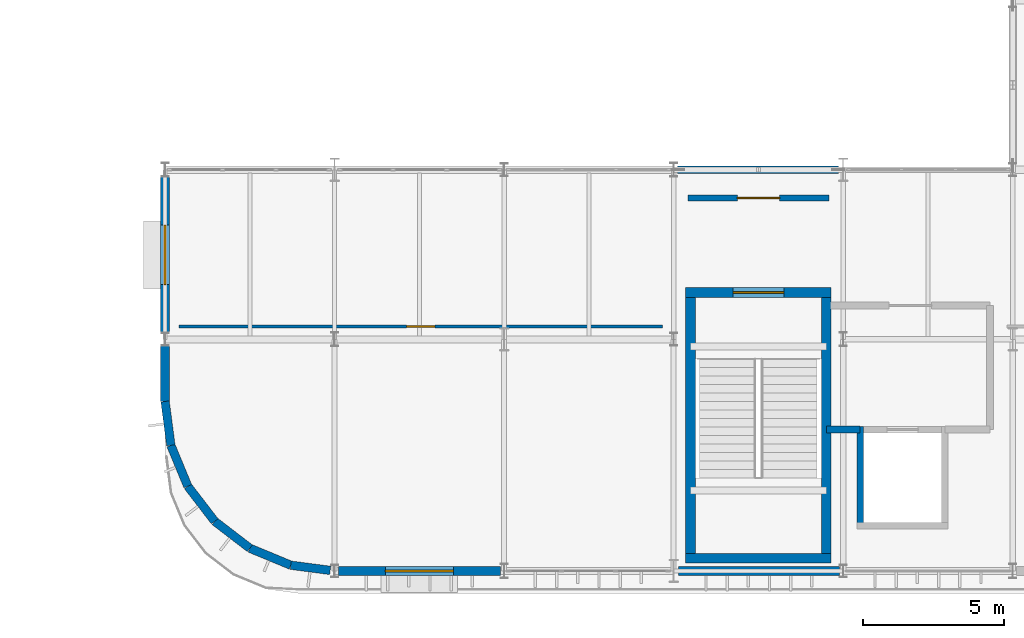
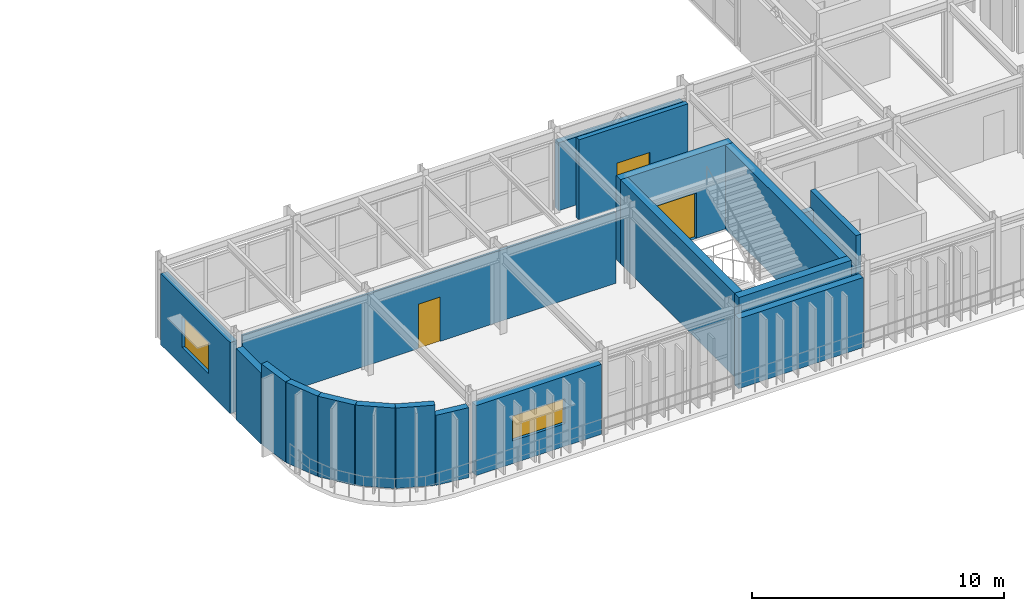
# One storey, part 61 of 83: 19 walls, 3 doors, 2 windows, 5 openings.
"""IFC4 building model written with IfcOpenShell, lengths in metres."""

from ifc_helpers import new_model, si_unit, direction, frame, frame_2d, origin, place, context, subcontext, project, spatial, rectangle, extrude, material, layer, layer_set, type_object, element, fill, save


model = new_model("IFC4")

# Units and contexts
model_context = context("Model", 3, precision=1e-05, world=origin(), true_north=direction((0.0, 1.0)))
body_context = subcontext(model_context, "Body", "Model", "MODEL_VIEW")
ifc_project = project(units=[si_unit("LENGTHUNIT", "METRE"), si_unit("AREAUNIT", "SQUARE_METRE"), si_unit("VOLUMEUNIT", "CUBIC_METRE"), si_unit("PLANEANGLEUNIT", "RADIAN"), si_unit("MASSUNIT", "GRAM", prefix="KILO")], contexts=[model_context])

# Site, building, storey
site_placement = place(None, origin())
site = spatial("IfcSite", under=ifc_project, at=site_placement, CompositionType="ELEMENT")
building_placement = place(site_placement, origin())
building = spatial("IfcBuilding", under=site, at=building_placement, Name="Varnakota Square Police Headquarters", CompositionType="ELEMENT")
storey_placement = place(building_placement, frame((0.0, 0.0, 18.0)))
storey = spatial("IfcBuildingStorey", under=building, at=storey_placement, Name="L04", CompositionType="ELEMENT", Elevation=18.0)

# Walls
ifc_material_1 = material(Name="Concrete M40", Category="concrete")
ifc_layer_1 = layer(ifc_material_1, 0.22998046875, Name="Concrete M40")
ifc_layer_set_1 = layer_set([ifc_layer_1], Name="Concrete M40")
wall_type_1 = type_object("IfcWallType", Name="WL-CORE-230", PredefinedType="SHEAR", material=ifc_layer_set_1)
wall_1_placement = place(storey_placement, frame((132.60009765625, 5.9150390625, 0.0), z_axis=(0.0, 0.0, 1.0), x_axis=(0.0, -1.0, 0.0)))
element("IfcWall", 1, at=wall_1_placement, inside=storey, type_object=wall_type_1, Name="Lift shaft wall LF-FF1 L04 W", PredefinedType="SHEAR", context=body_context, shape_type="SweptSolid", body=[
    extrude(rectangle(XDim=3.630126953125, YDim=0.22998046875, at=frame_2d((1.81494140625, 0.0))), origin(), (0.0, 0.0, 1.0), 4.199951171875),
])
ifc_material_2 = material(Name="Concrete M50", Category="concrete")
ifc_layer_2 = layer(ifc_material_2, 0.35009765625, Name="Concrete M50")
ifc_layer_set_2 = layer_set([ifc_layer_2], Name="Concrete M50")
wall_type_2 = type_object("IfcWallType", Name="WL-CORE-350", PredefinedType="SHEAR", material=ifc_layer_set_2)
wall_2_placement = place(storey_placement, frame((126.425048828125, 1.25, 0.0), z_axis=(0.0, 0.0, 1.0), x_axis=(1.0, 0.0, 0.0)))
element("IfcWall", 2, at=wall_2_placement, inside=storey, type_object=wall_type_2, Name="Core C1 shear wall L04 S", PredefinedType="SHEAR", context=body_context, shape_type="SweptSolid", body=[
    extrude(rectangle(XDim=5.14990234375, YDim=0.35009765625, at=frame_2d((2.574951171875, 0.0))), origin(), (0.0, 0.0, 1.0), 4.06005859375),
])
wall_3_placement = place(storey_placement, frame((131.39990234375, 1.074951171875, 0.0), z_axis=(0.0, 0.0, 1.0), x_axis=(0.0, 1.0, 0.0)))
element("IfcWall", 3, at=wall_3_placement, inside=storey, type_object=wall_type_2, Name="Core C1 shear wall L04 E", PredefinedType="SHEAR", context=body_context, shape_type="SweptSolid", body=[
    extrude(rectangle(XDim=9.75, YDim=0.35009765625, at=frame_2d((4.875, 0.0))), origin(), (0.0, 0.0, 1.0), 4.06005859375),
])

# Wall, opening, door
wall_4_placement = place(storey_placement, frame((131.574951171875, 10.64990234375, 0.0), z_axis=(0.0, 0.0, 1.0), x_axis=(-1.0, 0.0, 0.0)))
wall_4 = element("IfcWall", 4, at=wall_4_placement, inside=storey, type_object=wall_type_2, Name="Core C1 shear wall L04 N", PredefinedType="SHEAR", context=body_context, shape_type="SweptSolid", body=[
    extrude(rectangle(XDim=5.14990234375, YDim=0.35009765625, at=frame_2d((2.574951171875, 0.0))), origin(), (0.0, 0.0, 1.0), 4.06005859375),
])
opening_1_placement = place(wall_4_placement, frame((1.675048828125, 0.0, 0.0)))
opening_1 = element("IfcOpeningElement", 5, at=opening_1_placement, cuts=wall_4, Name="Opening SD005", PredefinedType="OPENING", context=body_context, shape_type="SweptSolid", body=[
    extrude(rectangle(XDim=1.800048828125, YDim=2.199951171875, at=frame_2d((0.89990234375, 1.10009765625))), frame((0.0, 0.18505859375, 0.0), z_axis=(0.0, -1.0, 0.0), x_axis=(1.0, 0.0, 0.0)), (0.0, 0.0, 1.0), 0.3701171875),
])
ifc_material_3 = material(Name="Powder-Coated Galvanised Steel", Category="steel")
door_type_1 = type_object("IfcDoorType", Name="DR-ST-180", OperationType="NOTDEFINED", PredefinedType="DOOR", material=ifc_material_3)
door_1_placement = place(opening_1_placement, origin())
door_1 = element("IfcDoor", 6, at=door_1_placement, inside=storey, type_object=door_type_1, Name="Protected stair door SD005", OperationType="DOUBLE_DOOR_SINGLE_SWING", OverallHeight=2.199951171875, OverallWidth=1.800048828125, PredefinedType="DOOR", context=body_context, shape_type="SweptSolid", body=[
    extrude(rectangle(XDim=1.800048828125, YDim=2.199951171875, at=frame_2d((0.89990234375, 1.10009765625))), frame((0.0, 0.02490234375, 0.0), z_axis=(0.0, -1.0, 0.0), x_axis=(1.0, 0.0, 0.0)), (0.0, 0.0, 1.0), 0.050048828125),
])
fill(opening_1, door_1)

# Walls
wall_5_placement = place(storey_placement, frame((126.60009765625, 10.824951171875, 0.0), z_axis=(0.0, 0.0, 1.0), x_axis=(0.0, -1.0, 0.0)))
element("IfcWall", 7, at=wall_5_placement, inside=storey, type_object=wall_type_2, Name="Core C1 shear wall L04 W", PredefinedType="SHEAR", context=body_context, shape_type="SweptSolid", body=[
    extrude(rectangle(XDim=9.75, YDim=0.35009765625, at=frame_2d((4.875, 0.0))), origin(), (0.0, 0.0, 1.0), 4.06005859375),
])
ifc_layer_3 = layer(ifc_material_1, 0.280029296875, Name="Concrete M40")
ifc_layer_set_3 = layer_set([ifc_layer_3], Name="Concrete M40")
wall_type_3 = type_object("IfcWallType", Name="WL-EXT-280", PredefinedType="SOLIDWALL", material=ifc_layer_set_3)
wall_6_placement = place(storey_placement, frame((126.12890625, 15.0, 0.0), z_axis=(0.0, 0.0, 1.0), x_axis=(1.0, 0.0, 0.0)))
element("IfcWall", 8, at=wall_6_placement, inside=storey, type_object=wall_type_3, Name="Exterior wall EW-L04-0256", PredefinedType="SOLIDWALL", context=body_context, shape_type="SweptSolid", body=[
    extrude(rectangle(XDim=5.70703125, YDim=0.280029296875, at=frame_2d((2.853515625, 0.0))), origin(), (0.0, 0.0, 1.0), 3.2900390625),
])
ifc_material_4 = material(Name="Precast concrete M40", Category="concrete")
ifc_layer_4 = layer(ifc_material_4, 0.300048828125, Name="Precast concrete M40")
ifc_layer_set_4 = layer_set([ifc_layer_4], Name="Precast concrete M40")
wall_type_4 = type_object("IfcWallType", Name="WL-EXT-300", PredefinedType="SOLIDWALL", material=ifc_layer_set_4)
wall_7_placement = place(storey_placement, frame((108.0, 6.800048828125, 0.0), z_axis=(0.0, 0.0, 1.0), x_axis=(0.130458544462, -0.991453765022, 0.0)))
element("IfcWall", 9, at=wall_7_placement, inside=storey, type_object=wall_type_4, Name="Exterior wall EW-L04-0263", PredefinedType="SOLIDWALL", context=body_context, shape_type="SweptSolid", body=[
    extrude(rectangle(XDim=1.56640625, YDim=0.300048828125, at=frame_2d((0.783203125, 0.0))), origin(), (0.0, 0.0, 1.0), 3.89501953125),
])
wall_8_placement = place(storey_placement, frame((108.204345703125, 5.2470703125, 0.0), z_axis=(0.0, 0.0, 1.0), x_axis=(0.382677606907, -0.923881945474, 0.0)))
element("IfcWall", 10, at=wall_8_placement, inside=storey, type_object=wall_type_4, Name="Exterior wall EW-L04-0264", PredefinedType="SOLIDWALL", context=body_context, shape_type="SweptSolid", body=[
    extrude(rectangle(XDim=1.566162109375, YDim=0.300048828125, at=frame_2d((0.783203125, 0.0))), origin(), (0.0, 0.0, 1.0), 3.89501953125),
])
for number, where, z_axis, x_axis, name in (
    (11, (108.8037109375, 3.800048828125, 0.0), (0.0, 0.0, 1.0), (0.608791411033, -0.793330333374, 0.0), "Exterior wall EW-L04-0265"),
    (12, (109.75732421875, 2.557373046875, 0.0), (0.0, 0.0, 1.0), (0.793330333374, -0.608791411033, 0.0), "Exterior wall EW-L04-0266"),
):
    element("IfcWall", number, at=place(storey_placement, frame(where, z_axis=z_axis, x_axis=x_axis)), inside=storey, type_object=wall_type_4, Name=name, PredefinedType="SOLIDWALL", context=body_context, shape_type="SweptSolid", body=[
        extrude(rectangle(XDim=1.56640625, YDim=0.300048828125, at=frame_2d((0.783203125, 0.0))), origin(), (0.0, 0.0, 1.0), 3.89501953125),
    ])
wall_9_placement = place(storey_placement, frame((111.0, 1.603759765625, 0.0), z_axis=(0.0, 0.0, 1.0), x_axis=(0.923881945474, -0.382677606907, 0.0)))
element("IfcWall", 13, at=wall_9_placement, inside=storey, type_object=wall_type_4, Name="Exterior wall EW-L04-0267", PredefinedType="SOLIDWALL", context=body_context, shape_type="SweptSolid", body=[
    extrude(rectangle(XDim=1.566162109375, YDim=0.300048828125, at=frame_2d((0.783203125, 0.0))), origin(), (0.0, 0.0, 1.0), 3.89501953125),
])
wall_10_placement = place(storey_placement, frame((112.447021484375, 1.00439453125, 0.0), z_axis=(0.0, 0.0, 1.0), x_axis=(0.991451936358, -0.130472441118, 0.0)))
element("IfcWall", 14, at=wall_10_placement, inside=storey, type_object=wall_type_4, Name="Exterior wall EW-L04-0268", PredefinedType="SOLIDWALL", context=body_context, shape_type="SweptSolid", body=[
    extrude(rectangle(XDim=1.408935546875, YDim=0.300048828125, at=frame_2d((0.70458984375, 0.0))), origin(), (0.0, 0.0, 1.0), 3.389892578125),
])

# Wall, opening, window
ifc_layer_5 = layer(ifc_material_4, 0.320068359375, Name="Precast concrete M40")
ifc_layer_set_5 = layer_set([ifc_layer_5], Name="Precast concrete M40")
wall_type_5 = type_object("IfcWallType", Name="WL-EXT-320", PredefinedType="SOLIDWALL", material=ifc_layer_set_5)
wall_11_placement = place(storey_placement, frame((114.12890625, 0.800048828125, 0.0), z_axis=(0.0, 0.0, 1.0), x_axis=(1.0, 0.0, 0.0)))
wall_11 = element("IfcWall", 15, at=wall_11_placement, inside=storey, type_object=wall_type_5, Name="Exterior wall EW-L04-0246", PredefinedType="SOLIDWALL", context=body_context, shape_type="SweptSolid", body=[
    extrude(rectangle(XDim=5.7421875, YDim=0.320068359375, at=frame_2d((2.87109375, 0.0))), origin(), (0.0, 0.0, 1.0), 3.389892578125),
])
opening_2_placement = place(wall_11_placement, frame((1.6708984375, 0.0, 1.10009765625)))
opening_2 = element("IfcOpeningElement", 16, at=opening_2_placement, cuts=wall_11, Name="Opening W06", PredefinedType="OPENING", context=body_context, shape_type="SweptSolid", body=[
    extrude(rectangle(XDim=2.39990234375, YDim=1.199951171875, at=frame_2d((1.199951171875, 0.60009765625))), frame((0.0, 0.169921875, 0.0), z_axis=(0.0, -1.0, 0.0), x_axis=(1.0, 0.0, 0.0)), (0.0, 0.0, 1.0), 0.340087890625),
])
ifc_material_5 = material(Name="Thermally Broken Aluminium Double-Glazed Window", Category="aluminium")
window_type_1 = type_object("IfcWindowType", Name="WIN-06", PartitioningType="SINGLE_PANEL", PredefinedType="WINDOW", material=ifc_material_5)
window_1_placement = place(opening_2_placement, origin())
window_1 = element("IfcWindow", 17, at=window_1_placement, inside=storey, type_object=window_type_1, Name="Window WN-L04-0040", OverallHeight=1.199951171875, OverallWidth=2.39990234375, PartitioningType="SINGLE_PANEL", PredefinedType="WINDOW", context=body_context, shape_type="SweptSolid", body=[
    extrude(rectangle(XDim=2.39990234375, YDim=1.199951171875, at=frame_2d((1.199951171875, 0.60009765625))), frame((0.0, 0.030029296875, 0.0), z_axis=(0.0, -1.0, 0.0), x_axis=(1.0, 0.0, 0.0)), (0.0, 0.0, 1.0), 0.06005859375),
])
fill(opening_2, window_1)

# Walls
wall_12_placement = place(storey_placement, frame((126.1640625, 0.800048828125, 0.0), z_axis=(0.0, 0.0, 1.0), x_axis=(1.0, 0.0, 0.0)))
element("IfcWall", 18, at=wall_12_placement, inside=storey, type_object=wall_type_5, Name="Exterior wall EW-L04-0247", PredefinedType="SOLIDWALL", context=body_context, shape_type="SweptSolid", body=[
    extrude(rectangle(XDim=5.70703125, YDim=0.320068359375, at=frame_2d((2.853515625, 0.0))), origin(), (0.0, 0.0, 1.0), 3.389892578125),
])
wall_13_placement = place(storey_placement, frame((108.0, 6.800048828125, 0.0), z_axis=(0.0, 0.0, 1.0), x_axis=(0.0, 1.0, 0.0)))
element("IfcWall", 19, at=wall_13_placement, inside=storey, type_object=wall_type_5, Name="Exterior wall EW-L04-0258", PredefinedType="SOLIDWALL", context=body_context, shape_type="SweptSolid", body=[
    extrude(rectangle(XDim=1.970947265625, YDim=0.320068359375, at=frame_2d((0.9853515625, 0.0))), origin(), (0.0, 0.0, 1.0), 3.43994140625),
])

# Wall, opening, window
wall_14_placement = place(storey_placement, frame((108.0, 9.22900390625, 0.0), z_axis=(0.0, 0.0, 1.0), x_axis=(0.0, 1.0, 0.0)))
wall_14 = element("IfcWall", 20, at=wall_14_placement, inside=storey, type_object=wall_type_5, Name="Exterior wall EW-L04-0259", PredefinedType="SOLIDWALL", context=body_context, shape_type="SweptSolid", body=[
    extrude(rectangle(XDim=5.51708984375, YDim=0.320068359375, at=frame_2d((2.758544921875, 0.0))), origin(), (0.0, 0.0, 1.0), 3.43994140625),
])
opening_3_placement = place(wall_14_placement, frame((1.70849609375, 0.0, 0.89990234375)))
opening_3 = element("IfcOpeningElement", 21, at=opening_3_placement, cuts=wall_14, Name="Opening W08", PredefinedType="OPENING", context=body_context, shape_type="SweptSolid", body=[
    extrude(rectangle(XDim=2.10009765625, YDim=1.5, at=frame_2d((1.050048828125, 0.75))), frame((0.0, 0.169921875, 0.0), z_axis=(0.0, -1.0, 0.0), x_axis=(1.0, 0.0, 0.0)), (0.0, 0.0, 1.0), 0.340087890625),
])
window_type_2 = type_object("IfcWindowType", Name="WIN-08", PartitioningType="SINGLE_PANEL", PredefinedType="WINDOW", material=ifc_material_5)
window_2_placement = place(opening_3_placement, origin())
window_2 = element("IfcWindow", 22, at=window_2_placement, inside=storey, type_object=window_type_2, Name="Window WN-L04-0043", OverallHeight=1.5, OverallWidth=2.10009765625, PartitioningType="SINGLE_PANEL", PredefinedType="WINDOW", context=body_context, shape_type="SweptSolid", body=[
    extrude(rectangle(XDim=2.10009765625, YDim=1.5, at=frame_2d((1.050048828125, 0.75))), frame((0.0, 0.030029296875, 0.0), z_axis=(0.0, -1.0, 0.0), x_axis=(1.0, 0.0, 0.0)), (0.0, 0.0, 1.0), 0.06005859375),
])
fill(opening_3, window_2)

# Wall, opening, door
ifc_material_6 = material(Name="Moisture-Resistant Tile-Backed Partition", Category="gypsum")
ifc_layer_6 = layer(ifc_material_6, 0.114990234375, Name="Moisture-Resistant Tile-Backed Partition")
ifc_layer_set_6 = layer_set([ifc_layer_6], Name="Moisture-Resistant Tile-Backed Partition")
wall_type_6 = type_object("IfcWallType", Name="WL-PRT-115", PredefinedType="PARTITIONING", material=ifc_layer_set_6)
wall_15_placement = place(storey_placement, frame((108.5, 9.449951171875, 0.0), z_axis=(0.0, 0.0, 1.0), x_axis=(1.0, 0.0, 0.0)))
wall_15 = element("IfcWall", 23, at=wall_15_placement, inside=storey, type_object=wall_type_6, Name="Interior partition PW-L04-0203 (Cybercrime Bureau Analysis Hall)", PredefinedType="PARTITIONING", context=body_context, shape_type="SweptSolid", body=[
    extrude(rectangle(XDim=17.10009765625, YDim=0.114990234375, at=frame_2d((8.550048828125, 0.0))), origin(), (0.0, 0.0, 1.0), 3.43994140625),
])
opening_4_placement = place(wall_15_placement, frame((8.050048828125, 0.0, 0.0)))
opening_4 = element("IfcOpeningElement", 24, at=opening_4_placement, cuts=wall_15, Name="Opening D268", PredefinedType="OPENING", context=body_context, shape_type="SweptSolid", body=[
    extrude(rectangle(XDim=1.0, YDim=2.14990234375, at=frame_2d((0.5, 1.074951171875))), frame((0.0, 0.0673828125, 0.0), z_axis=(0.0, -1.0, 0.0), x_axis=(1.0, 0.0, 0.0)), (0.0, 0.0, 1.0), 0.135009765625),
])
ifc_material_7 = material(Name="Solid-Core Teak Veneer Hardwood", Category="wood")
door_type_2 = type_object("IfcDoorType", Name="DR-OFF-100", OperationType="NOTDEFINED", PredefinedType="DOOR", material=ifc_material_7)
door_2_placement = place(opening_4_placement, origin())
door_2 = element("IfcDoor", 25, at=door_2_placement, inside=storey, type_object=door_type_2, Name="Room door D268 (Cybercrime Bureau Analysis Hall)", OperationType="SINGLE_SWING_RIGHT", OverallHeight=2.14990234375, OverallWidth=1.0, PredefinedType="DOOR", context=body_context, shape_type="SweptSolid", body=[
    extrude(rectangle(XDim=1.0, YDim=2.14990234375, at=frame_2d((0.5, 1.074951171875))), frame((0.0, 0.02490234375, 0.0), z_axis=(0.0, -1.0, 0.0), x_axis=(1.0, 0.0, 0.0)), (0.0, 0.0, 1.0), 0.050048828125),
])
fill(opening_4, door_2)

ifc_layer_7 = layer(ifc_material_1, 0.215087890625, Name="Concrete M40")
ifc_layer_set_7 = layer_set([ifc_layer_7], Name="Concrete M40")
wall_type_7 = type_object("IfcWallType", Name="WL-PRT-215F", PredefinedType="PARTITIONING", material=ifc_layer_set_7)
wall_16_placement = place(storey_placement, frame((126.5, 14.0, 0.0), z_axis=(0.0, 0.0, 1.0), x_axis=(1.0, 0.0, 0.0)))
wall_16 = element("IfcWall", 26, at=wall_16_placement, inside=storey, type_object=wall_type_7, Name="Core C1 lobby fire partition L04", PredefinedType="PARTITIONING", context=body_context, shape_type="SweptSolid", body=[
    extrude(rectangle(XDim=5.0, YDim=0.215087890625, at=frame_2d((2.5, 0.0))), origin(), (0.0, 0.0, 1.0), 3.889892578125),
])
opening_5_placement = place(wall_16_placement, frame((1.75, 0.0, 0.0)))
opening_5 = element("IfcOpeningElement", 27, at=opening_5_placement, cuts=wall_16, Name="Opening FD017", PredefinedType="OPENING", context=body_context, shape_type="SweptSolid", body=[
    extrude(rectangle(XDim=1.5, YDim=2.14990234375, at=frame_2d((0.75, 1.074951171875))), frame((0.0, 0.117431640625, 0.0), z_axis=(0.0, -1.0, 0.0), x_axis=(1.0, 0.0, 0.0)), (0.0, 0.0, 1.0), 0.235107421875),
])
ifc_material_8 = material(Name="Smoke-Sealed Galvanised Acoustic Steel", Category="steel")
door_type_3 = type_object("IfcDoorType", Name="DR-FFL-150", OperationType="NOTDEFINED", PredefinedType="DOOR", material=ifc_material_8)
door_3_placement = place(opening_5_placement, origin())
door_3 = element("IfcDoor", 28, at=door_3_placement, inside=storey, type_object=door_type_3, Name="Core lobby smoke door FD017", OperationType="DOUBLE_DOOR_SINGLE_SWING", OverallHeight=2.14990234375, OverallWidth=1.5, PredefinedType="DOOR", context=body_context, shape_type="SweptSolid", body=[
    extrude(rectangle(XDim=1.5, YDim=2.14990234375, at=frame_2d((0.75, 1.074951171875))), frame((0.0, 0.02490234375, 0.0), z_axis=(0.0, -1.0, 0.0), x_axis=(1.0, 0.0, 0.0)), (0.0, 0.0, 1.0), 0.050048828125),
])
fill(opening_5, door_3)

# Wall
ifc_layer_8 = layer(ifc_material_1, 0.25, Name="Concrete M40")
ifc_layer_set_8 = layer_set([ifc_layer_8], Name="Concrete M40")
wall_type_8 = type_object("IfcWallType", Name="WL-PRT-250F", PredefinedType="PARTITIONING", material=ifc_layer_set_8)
wall_17_placement = place(storey_placement, frame((131.39990234375, 5.800048828125, 0.0), z_axis=(0.0, 0.0, 1.0), x_axis=(1.0, 0.0, 0.0)))
element("IfcWall", 29, at=wall_17_placement, inside=storey, type_object=wall_type_8, Name="Firefighting lobby return wall C1 L04 SW", PredefinedType="PARTITIONING", context=body_context, shape_type="SweptSolid", body=[
    extrude(rectangle(XDim=1.2001953125, YDim=0.25, at=frame_2d((0.60009765625, 0.0))), origin(), (0.0, 0.0, 1.0), 3.389892578125),
])

save(model, "model.ifc")
